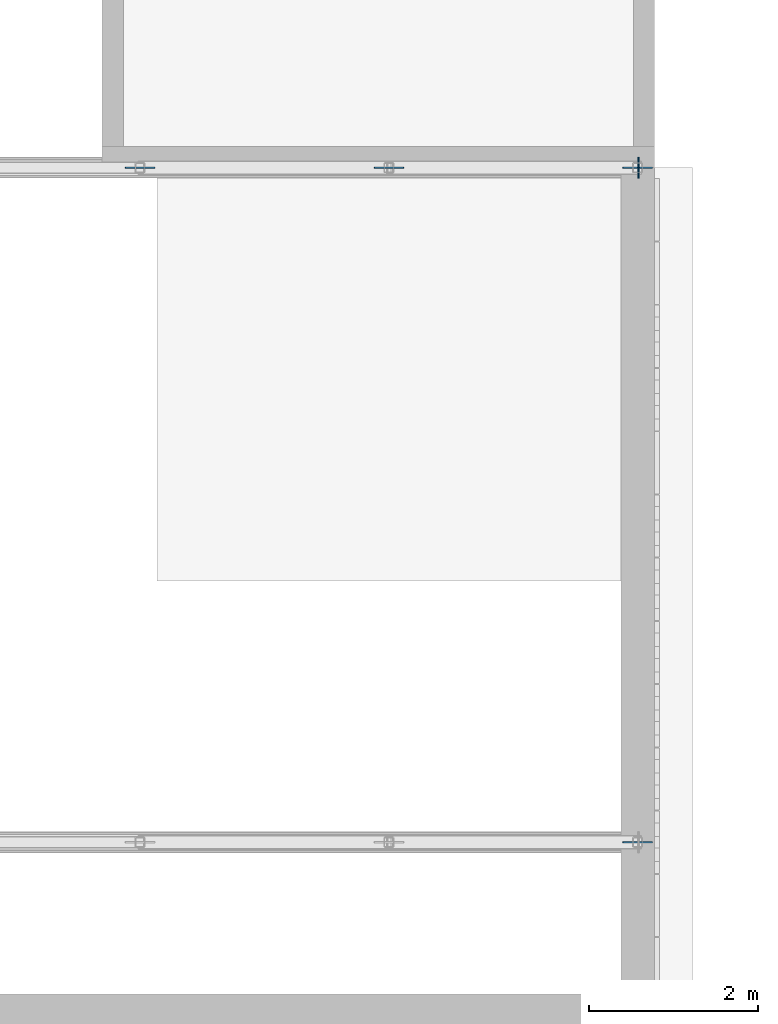
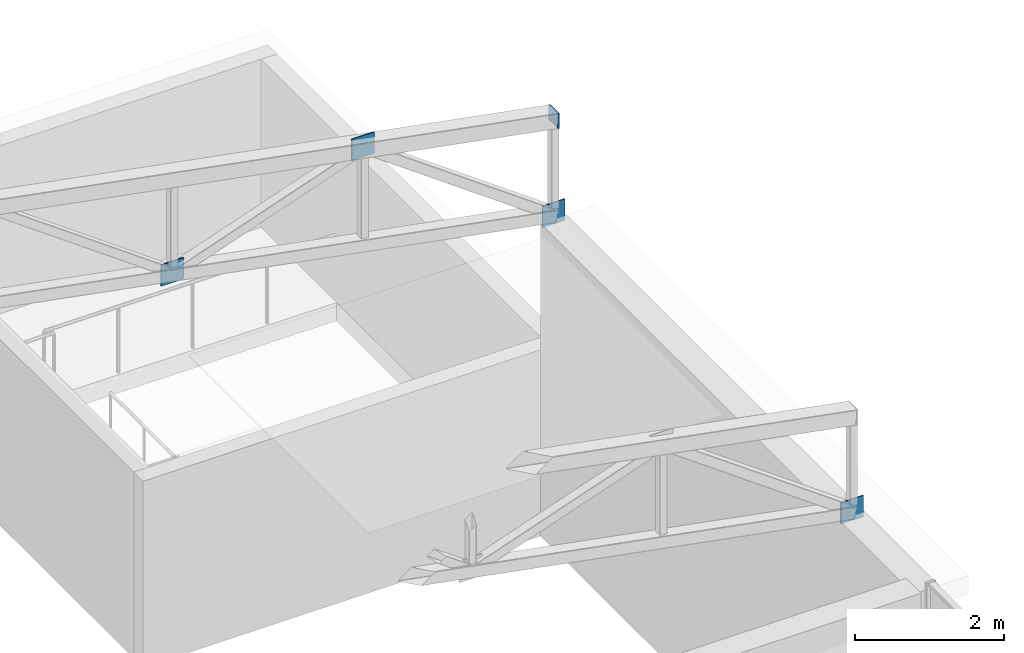
# One storey, part 85 of 125: 5 discrete accessories.
"""IFC4 building model written with IfcOpenShell, lengths in metres."""

import ifcopenshell
import ifcopenshell.guid

model = None  # the IFC model being written
_history = None  # IfcOwnerHistory: only IFC2X3 demands one
_inside = {}  # id of a spatial element -> (the spatial element, [elements in it])
_under = {}  # id of a project, library or spatial element -> (it, [spatial elements below it])
_declared = {}  # id of a project -> (the project, [libraries it declares])
_typed = {}  # id of a type object -> (the type object, [elements of that type])
_made_of = {}  # id of a material, layer set ... -> (it, [elements and type objects made of it])


def new_model(schema):
    """Start an empty IFC model of exactly this schema.

    Asked for "IFC4X3", IfcOpenShell would pick the latest addendum, in which some entities
    have other attributes; the version numbers below select the first issue.
    IFC2X3 requires an IfcOwnerHistory on every rooted entity: one is made here for all.
    """
    global model, _history
    if schema == "IFC4X3":
        model = ifcopenshell.file(schema_version=(4, 3, 0, 0))
    else:
        model = ifcopenshell.file(schema=schema)
    _inside.clear()
    _under.clear()
    _declared.clear()
    _typed.clear()
    _made_of.clear()
    _history = None
    if model.schema == "IFC2X3":
        org = make("IfcOrganization", Name="unknown")
        user = make(
            "IfcPersonAndOrganization",
            ThePerson=make("IfcPerson", FamilyName="unknown"),
            TheOrganization=org,
        )
        app = make(
            "IfcApplication",
            ApplicationDeveloper=org,
            Version="unknown",
            ApplicationFullName="unknown",
            ApplicationIdentifier="unknown",
        )
        _history = make(
            "IfcOwnerHistory",
            OwningUser=user,
            OwningApplication=app,
            ChangeAction="ADDED",
            CreationDate=0,
        )
    return model


def make(cls, **values):
    """One entity of the class cls with the attributes given. An attribute that is None is left unset."""
    return model.create_entity(
        cls, **{name: value for name, value in values.items() if value is not None}
    )


def rooted(cls, **values):
    """An entity with a GlobalId (a new one), such as an element, a storey or a relation."""
    return make(cls, GlobalId=ifcopenshell.guid.new(), OwnerHistory=_history, **values)


def si_unit(unit_type, name, prefix=None):
    """IfcSIUnit, for example si_unit("LENGTHUNIT", "METRE", prefix="MILLI")."""
    return make("IfcSIUnit", UnitType=unit_type, Prefix=prefix, Name=name)


def assignment(units):
    """IfcUnitAssignment: the units of a project."""
    return None if units is None else make("IfcUnitAssignment", Units=units)


def point(xyz):
    """IfcCartesianPoint."""
    return None if xyz is None else make("IfcCartesianPoint", Coordinates=xyz)


def direction(xyz):
    """IfcDirection."""
    return None if xyz is None else make("IfcDirection", DirectionRatios=xyz)


def frame(location, z_axis=None, x_axis=None):
    """IfcAxis2Placement3D, a coordinate frame: its origin and axes. An axis left out is left unset."""
    return make(
        "IfcAxis2Placement3D",
        Location=point(location),
        Axis=direction(z_axis),
        RefDirection=direction(x_axis),
    )


def frame_2d(location, x_axis=None):
    """IfcAxis2Placement2D, a coordinate frame in the plane: its origin and x axis."""
    return make(
        "IfcAxis2Placement2D", Location=point(location), RefDirection=direction(x_axis)
    )


def origin():
    """The frame at (0, 0, 0) with its axes left unset."""
    return frame((0.0, 0.0, 0.0))


def origin_2d():
    """The frame at (0, 0) in the plane with its x axis left unset."""
    return frame_2d((0.0, 0.0))


def place(relative_to, where):
    """IfcLocalPlacement: puts the frame where relative to a parent placement (None: the world)."""
    return make(
        "IfcLocalPlacement", PlacementRelTo=relative_to, RelativePlacement=where
    )


def context(
    kind, dimensions, precision=None, world=None, true_north=None, identifier=None
):
    """IfcGeometricRepresentationContext, for example the 3D "Model" context."""
    return make(
        "IfcGeometricRepresentationContext",
        ContextIdentifier=identifier,
        ContextType=kind,
        CoordinateSpaceDimension=dimensions,
        Precision=precision,
        WorldCoordinateSystem=world,
        TrueNorth=true_north,
    )


def subcontext(parent, identifier, kind, view, scale=None):
    """IfcGeometricRepresentationSubContext, for example "Body" below "Model"."""
    return make(
        "IfcGeometricRepresentationSubContext",
        ContextIdentifier=identifier,
        ContextType=kind,
        ParentContext=parent,
        TargetScale=scale,
        TargetView=view,
    )


def project(units=None, contexts=None):
    """IfcProject with its units and contexts."""
    return rooted(
        "IfcProject",
        Name="project",
        RepresentationContexts=contexts,
        UnitsInContext=assignment(units),
    )


def spatial(cls, under=None, at=None, **own):
    """A site, building, storey or space (cls), placed at a placement, below another one or the project."""
    s = rooted(cls, ObjectPlacement=at, **own)
    if under is not None:
        _under.setdefault(under.id(), (under, []))[1].append(s)
    return s


def profile(cls, at=None, kind="AREA", **sizes):
    """A parametric profile (cls). Its sizes go by their IFC names, for example OverallWidth=200.0."""
    return make(cls, ProfileType=kind, Position=at, **sizes)


def rectangle(**sizes):
    """IfcRectangleProfileDef."""
    return profile("IfcRectangleProfileDef", **sizes)


def extrude(swept, where, along, depth):
    """IfcExtrudedAreaSolid: the profile swept, set in the frame where, extruded along a direction by depth."""
    return make(
        "IfcExtrudedAreaSolid",
        SweptArea=swept,
        Position=where,
        ExtrudedDirection=direction(along),
        Depth=depth,
    )


def shape(context_of_items, identifier, shape_type, items):
    """IfcShapeRepresentation: the items that make up one representation, for example the "Body"."""
    return make(
        "IfcShapeRepresentation",
        ContextOfItems=context_of_items,
        RepresentationIdentifier=identifier,
        RepresentationType=shape_type,
        Items=items,
    )


def material(Name=None, Category=None):
    """IfcMaterial."""
    return make("IfcMaterial", Name=Name, Category=Category)


def material_profile(
    of_material, cross_section, Name=None, Category=None, Priority=None
):
    """IfcMaterialProfile: a cross section and its material."""
    return make(
        "IfcMaterialProfile",
        Name=Name,
        Material=of_material,
        Profile=cross_section,
        Priority=Priority,
        Category=Category,
    )


def profile_set(profiles, Name=None, composite=None):
    """IfcMaterialProfileSet."""
    return make(
        "IfcMaterialProfileSet",
        Name=Name,
        MaterialProfiles=profiles,
        CompositeProfile=composite,
    )


def made_of(thing, what):
    """Note that an element or type object is made of a material, layer set ...; save() writes the relation."""
    if what is not None:
        _made_of.setdefault(what.id(), (what, []))[1].append(thing)
    return thing


def type_object(cls, material=None, **own):
    """A type object (cls), such as IfcWallType, which elements share."""
    return made_of(rooted(cls, **own), material)


def element(
    cls,
    number,
    at=None,
    inside=None,
    cuts=None,
    type_object=None,
    material=None,
    context=None,
    identifier="Body",
    shape_type=None,
    held_by="IfcProductDefinitionShape",
    body=None,
    shapes=None,
    **own,
):
    """One element of the class cls, such as IfcWall. Its Tag is "e" and its number.

    at: its placement. inside: the storey or other place that contains it. cuts: it is an
    opening in that element (IfcRelVoidsElement). A single representation is given by context,
    identifier, shape_type and body (its items); several are given by shapes. held_by: the class
    of the entity that holds the representations. save() writes the other relations.
    """
    e = rooted(cls, Tag="e%d" % number, ObjectPlacement=at, **own)
    if body is not None:
        shapes = [shape(context, identifier, shape_type, body)]
    if shapes is not None:
        e.Representation = make(held_by, Representations=shapes)
    if inside is not None:
        _inside.setdefault(inside.id(), (inside, []))[1].append(e)
    if cuts is not None:
        rooted(
            "IfcRelVoidsElement", RelatingBuildingElement=cuts, RelatedOpeningElement=e
        )
    if type_object is not None:
        _typed.setdefault(type_object.id(), (type_object, []))[1].append(e)
    return made_of(e, material)


def aggregate(whole, parts):
    """IfcRelAggregates: a whole, such as a stair, and the parts it consists of."""
    return rooted("IfcRelAggregates", RelatingObject=whole, RelatedObjects=parts)


def save(model, path):
    """Write the relations noted so far, then the file.

    IfcRelAggregates (storeys below a building ...), IfcRelContainedInSpatialStructure (elements
    in a storey), IfcRelDefinesByType, IfcRelAssociatesMaterial and IfcRelDeclares: one each for
    every whole, place, type object, material and project.
    """
    for whole, parts in _under.values():
        aggregate(whole, parts)
    for where, things in _inside.values():
        rooted(
            "IfcRelContainedInSpatialStructure",
            RelatedElements=things,
            RelatingStructure=where,
        )
    for kind, things in _typed.values():
        rooted("IfcRelDefinesByType", RelatedObjects=things, RelatingType=kind)
    for what, things in _made_of.values():
        rooted("IfcRelAssociatesMaterial", RelatedObjects=things, RelatingMaterial=what)
    for by, libraries in _declared.values():
        rooted("IfcRelDeclares", RelatingContext=by, RelatedDefinitions=libraries)
    model.write(path)


model = new_model("IFC4")

# Units and contexts
model_context = context("Model", 3, precision=1e-05, world=origin(), true_north=direction((0.0, 1.0)))
body_context = subcontext(model_context, "Body", "Model", "MODEL_VIEW")
ifc_project = project(units=[si_unit("LENGTHUNIT", "METRE"), si_unit("AREAUNIT", "SQUARE_METRE"), si_unit("VOLUMEUNIT", "CUBIC_METRE"), si_unit("PLANEANGLEUNIT", "RADIAN"), si_unit("MASSUNIT", "GRAM", prefix="KILO")], contexts=[model_context])

# Site, building, storey
site_placement = place(None, origin())
site = spatial("IfcSite", under=ifc_project, at=site_placement, CompositionType="ELEMENT")
building_placement = place(site_placement, origin())
building = spatial("IfcBuilding", under=site, at=building_placement, Name="Sun Court Science Centre", CompositionType="ELEMENT")
storey_placement = place(building_placement, frame((0.0, 0.0, 6.0)))
storey = spatial("IfcBuildingStorey", under=building, at=storey_placement, Name="L01", CompositionType="ELEMENT", Elevation=6.0)

# Discrete accessories
ifc_material_1 = material(Name="Steel S355", Category="steel")
discrete_accessory_type_1 = type_object("IfcDiscreteAccessoryType", Name="Hollow section end plate 20", PredefinedType="BRACKET", material=ifc_material_1)
discrete_accessory_placement = place(storey_placement, frame((23.81005859375, 64.0, 6.367431640625), z_axis=(0.0, 0.0, 1.0), x_axis=(1.0, 0.0, 0.0)))
element("IfcDiscreteAccessory", 1, at=discrete_accessory_placement, inside=storey, type_object=discrete_accessory_type_1, Name="Roof truss 3 top chord end plate", PredefinedType="BRACKET", context=body_context, shape_type="SweptSolid", body=[
    extrude(rectangle(XDim=0.02001953125, YDim=0.25, at=origin_2d()), origin(), (0.0, 0.0, 1.0), 0.25),
])
ifc_material_2 = material(Name="Steel S355", Category="steel")
ifc_material_profile = material_profile(ifc_material_2, rectangle(XDim=0.35009765625, YDim=0.35009765625, at=origin_2d()), Name="PL 350x350")
ifc_profile_set = profile_set([ifc_material_profile], Name="Steel S355")
discrete_accessory_type_2 = type_object("IfcDiscreteAccessoryType", Name="Truss gusset plate 350x350x15", PredefinedType="BRACKET", material=ifc_profile_set)
for number, where, z_axis, x_axis, name in (
    (2, (23.800048828125, 55.992431640625, 4.91748046875), (0.0, 1.0, 0.0), (-1.0, 0.0, 0.0), "Truss gusset plate 18"),
    (3, (17.89990234375, 63.992431640625, 6.023681640625), (0.0, 1.0, 0.0), (-1.0, 0.0, 0.0), "Truss gusset plate 25"),
    (4, (20.85009765625, 63.992431640625, 7.045654296875), (0.0, 1.0, 0.0), (-1.0, 0.0, 0.0), "Truss gusset plate 26"),
    (5, (23.800048828125, 63.992431640625, 4.91748046875), (0.0, 1.0, 0.0), (-1.0, 0.0, 0.0), "Truss gusset plate 27"),
):
    element("IfcDiscreteAccessory", number, at=place(storey_placement, frame(where, z_axis=z_axis, x_axis=x_axis)), inside=storey, type_object=discrete_accessory_type_2, Name=name, PredefinedType="BRACKET", context=body_context, shape_type="SweptSolid", body=[
        extrude(rectangle(XDim=0.35009765625, YDim=0.35009765625, at=origin_2d()), origin(), (0.0, 0.0, 1.0), 0.01513671875),
    ])

save(model, "model.ifc")
